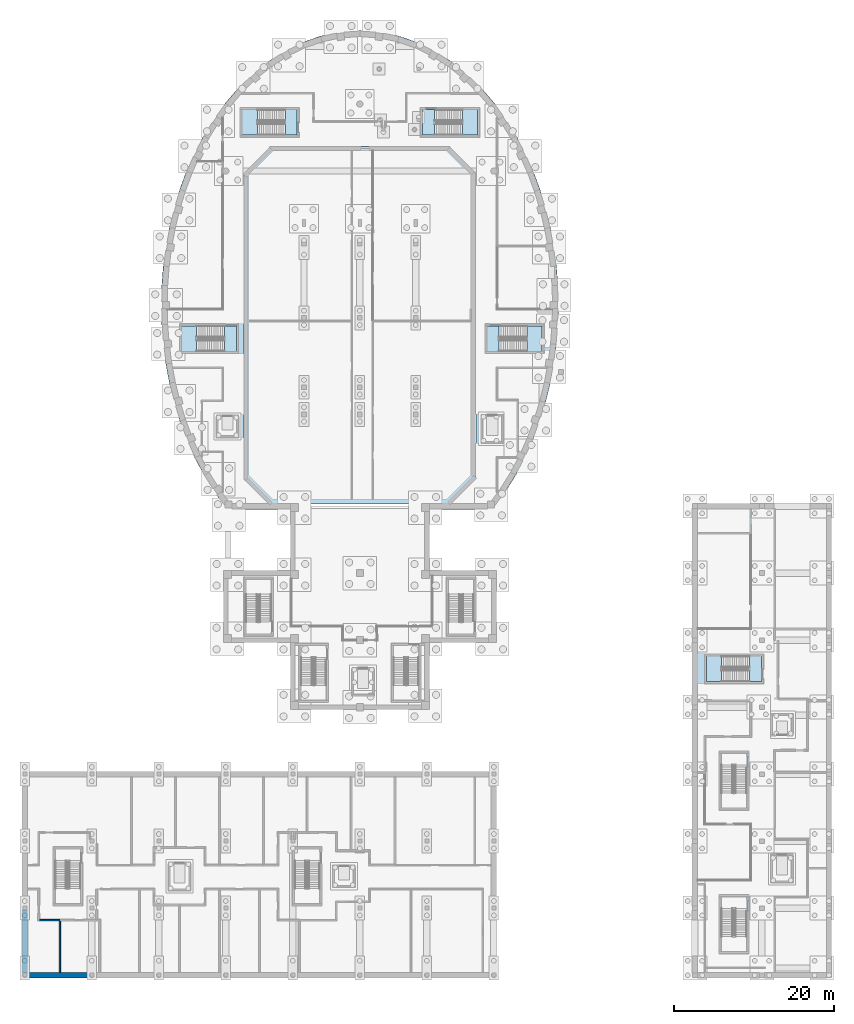
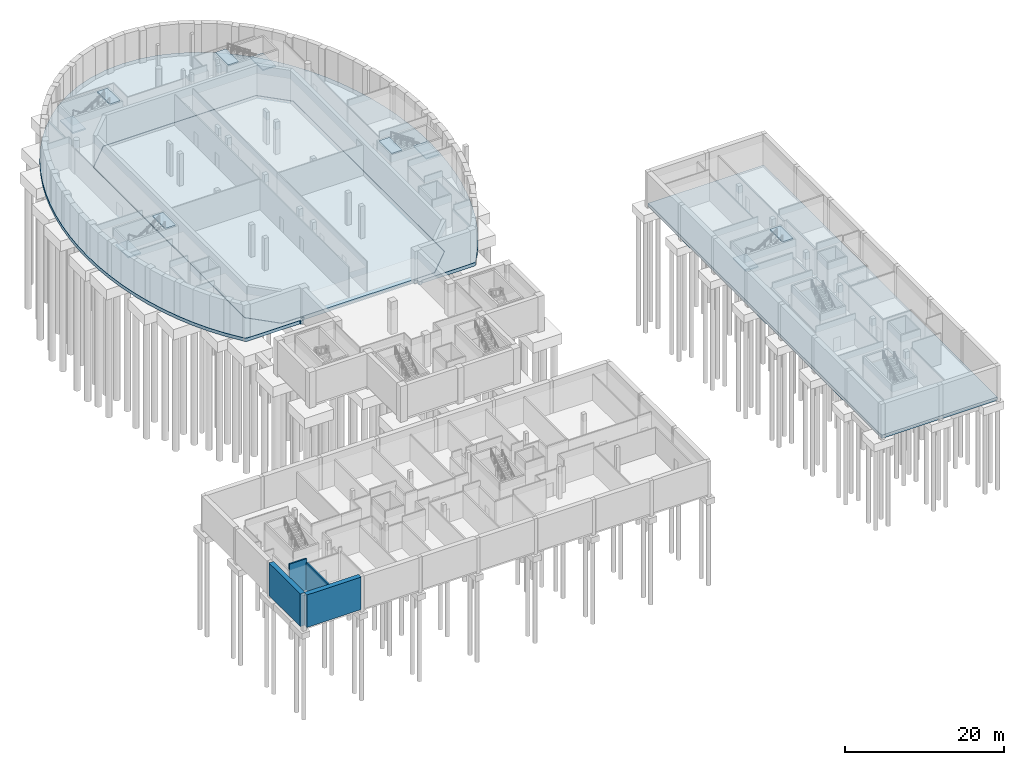
# One storey, part 8 of 33: 13 slabs, 4 walls, 5 elements without a shape of their own.
"""IFC4 building model written with IfcOpenShell, lengths in metres."""

from ifc_helpers import new_model, si_unit, direction, frame, frame_2d, origin, place, context, subcontext, project, spatial, polyline, rectangle, outline, extrude, material, layer, layer_set, type_object, element, aggregate, save


model = new_model("IFC4")

# Units and contexts
model_context = context("Model", 3, precision=1e-05, world=origin(), true_north=direction((0.0, 1.0)))
body_context = subcontext(model_context, "Body", "Model", "MODEL_VIEW")
ifc_project = project(units=[si_unit("LENGTHUNIT", "METRE"), si_unit("AREAUNIT", "SQUARE_METRE"), si_unit("VOLUMEUNIT", "CUBIC_METRE"), si_unit("PLANEANGLEUNIT", "RADIAN"), si_unit("MASSUNIT", "GRAM", prefix="KILO")], contexts=[model_context])

# Site, building, storey
site_placement = place(None, origin())
site = spatial("IfcSite", under=ifc_project, at=site_placement, CompositionType="ELEMENT")
building_placement = place(site_placement, origin())
building = spatial("IfcBuilding", under=site, at=building_placement, Name="Larchfold Concert Hall", CompositionType="ELEMENT")
storey_placement = place(building_placement, frame((0.0, 0.0, -5.0)))
storey = spatial("IfcBuildingStorey", under=building, at=storey_placement, Name="B1", CompositionType="ELEMENT", Elevation=-5.0)

# Slabs
ifc_material_1 = material(Name="Concrete C35/45", Category="concrete")
ifc_layer_1 = layer(ifc_material_1, 0.5)
ifc_layer_set_1 = layer_set([ifc_layer_1], Name="Concrete C35/45")
slab_type_1 = type_object("IfcSlabType", Name="Raft 500", PredefinedType="BASESLAB", material=ifc_layer_set_1)
slab_1_placement = place(storey_placement, frame((0.0, 0.0, -0.5)))
element("IfcSlab", 1, at=slab_1_placement, inside=storey, type_object=slab_type_1, Name="Slab S0002", PredefinedType="BASESLAB", context=body_context, shape_type="SweptSolid", body=[
    extrude(outline(polyline([(101.39990234375, 0.60009765625), (101.39990234375, 59.39990234375), (84.60009765625, 59.39990234375), (84.60009765625, 0.60009765625), (101.39990234375, 0.60009765625)])), origin(), (0.0, 0.0, 1.0), 0.5),
])
slab_2_placement = place(storey_placement, frame((0.0, 0.0, -0.5)))
element("IfcSlab", 2, at=slab_2_placement, inside=storey, type_object=slab_type_1, Name="Slab S0004", PredefinedType="BASESLAB", context=body_context, shape_type="SweptSolid", body=[
    extrude(outline(polyline([(53.892333984375, 59.800048828125), (53.742431640625, 59.64990234375), (53.699951171875, 59.619873046875), (50.671142578125, 59.619873046875), (50.6396484375, 59.565673828125), (50.6123046875, 59.489990234375), (50.6005859375, 59.410400390625), (51.0, 59.39990234375), (51.0, 58.849853515625), (51.39990234375, 58.849853515625), (51.39990234375, 59.0), (59.046875, 59.0), (59.103271484375, 59.00390625), (59.17626953125, 59.021240234375), (59.24462890625, 59.052001953125), (59.30615234375, 59.094970703125), (59.3583984375, 59.148681640625), (60.816162109375, 61.138916015625), (62.12548828125, 63.244384765625), (63.281982421875, 65.43505859375), (64.28955078125, 67.696044921875), (65.1533203125, 70.014404296875), (65.87744140625, 72.378662109375), (66.46484375, 74.779541015625), (66.9189453125, 77.208740234375), (67.241943359375, 79.657958984375), (67.435302734375, 82.12060546875), (67.5, 84.589599609375), (67.437255859375, 87.04345703125), (67.24755859375, 89.49072265625), (66.9296875, 91.9248046875), (66.482421875, 94.3388671875), (65.903564453125, 96.7255859375), (65.1904296875, 99.076416015625), (64.33935546875, 101.381591796875), (63.3466796875, 103.630615234375), (62.2080078125, 105.811279296875), (60.9189453125, 107.908203125), (59.474365234375, 109.904052734375), (57.871337890625, 111.77783203125), (56.107421875, 113.5048828125), (54.18310546875, 115.05615234375), (52.104248046875, 116.398681640625), (49.8828125, 117.49755859375), (47.5400390625, 118.316650390625), (47.489013671875, 118.330810546875), (45.108154296875, 118.824462890625), (45.0537109375, 118.83203125), (42.6279296875, 118.9990234375), (42.572265625, 118.9990234375), (40.146484375, 118.83203125), (40.092041015625, 118.824462890625), (37.711181640625, 118.330810546875), (37.66015625, 118.316650390625), (35.36328125, 117.516845703125), (33.13623046875, 116.421630859375), (31.051513671875, 115.0810546875), (29.121826171875, 113.53076171875), (27.353271484375, 111.803955078125), (25.74609375, 109.929931640625), (24.29833984375, 107.93359375), (23.006103515625, 105.8359375), (21.864990234375, 103.654541015625), (20.870361328125, 101.405029296875), (20.017333984375, 99.098876953125), (19.302490234375, 96.747802734375), (18.722412109375, 94.360595703125), (18.27392578125, 91.946044921875), (17.955078125, 89.51171875), (17.76416015625, 87.064453125), (17.7001953125, 84.610595703125), (17.763671875, 82.1416015625), (17.9560546875, 79.67919921875), (18.27783203125, 77.230224609375), (18.73046875, 74.801513671875), (19.316650390625, 72.401123046875), (20.0390625, 70.037109375), (20.90087890625, 67.719482421875), (21.906494140625, 65.459228515625), (23.060302734375, 63.26904296875), (24.36669921875, 61.16455078125), (25.830322265625, 59.163818359375), (25.86669921875, 59.12060546875), (25.923828125, 59.072021484375), (25.989013671875, 59.03515625), (26.06005859375, 59.010986328125), (26.13427734375, 59.000244140625), (33.800048828125, 59.0), (33.800048828125, 58.849853515625), (34.199951171875, 58.849853515625), (34.199951171875, 59.39990234375), (34.599609375, 59.39990234375), (34.595458984375, 59.450439453125), (34.576171875, 59.527587890625), (34.541748046875, 59.600341796875), (31.5, 59.619873046875), (31.3076171875, 59.7998046875), (28.078857421875, 63.02880859375), (28.070068359375, 101.10009765625), (31.478759765625, 104.521240234375), (53.699951171875, 104.530029296875), (57.121337890625, 101.121337890625), (57.130126953125, 63.050048828125), (53.892333984375, 59.800048828125)])), origin(), (0.0, 0.0, 1.0), 0.5),
])
ifc_material_2 = material(Name="Concrete C35/45", Category="concrete")
ifc_layer_2 = layer(ifc_material_2, 0.60009765625)
ifc_layer_set_2 = layer_set([ifc_layer_2], Name="Concrete C35/45")
slab_type_2 = type_object("IfcSlabType", Name="Raft 600", PredefinedType="BASESLAB", material=ifc_layer_set_2)
slab_3_placement = place(storey_placement, frame((0.0, 0.0, -0.60009765625)))
element("IfcSlab", 3, at=slab_3_placement, inside=storey, type_object=slab_type_2, Name="Slab S0005", PredefinedType="BASESLAB", context=body_context, shape_type="SweptSolid", body=[
    extrude(outline(polyline([(31.5, 59.64990234375), (53.699951171875, 59.64990234375), (57.10009765625, 63.050048828125), (57.10009765625, 101.10009765625), (53.699951171875, 104.5), (31.5, 104.5), (28.10009765625, 101.10009765625), (28.10009765625, 63.050048828125), (31.5, 59.64990234375)])), origin(), (0.0, 0.0, 1.0), 0.60009765625),
])

# Stair, slabs
ifc_material_3 = material(Name="Concrete C35/45", Category="concrete")
stair_type = type_object("IfcStairType", Name="Stair RC half-turn enclosed", PredefinedType="HALF_TURN_STAIR", material=ifc_material_3)
stair_1_placement = place(storey_placement, origin())
stair_1 = element("IfcStair", 4, at=stair_1_placement, inside=storey, type_object=stair_type, Name="Stair DS2", PredefinedType="HALF_TURN_STAIR")
ifc_material_4 = material(Name="Concrete C35/45", Category="concrete")
ifc_layer_3 = layer(ifc_material_4, 0.199951171875)
ifc_layer_set_3 = layer_set([ifc_layer_3], Name="Concrete C35/45")
slab_type_3 = type_object("IfcSlabType", Name="Stair landing RC 200", PredefinedType="LANDING", material=ifc_layer_set_3)
slab_4_placement = place(storey_placement, frame((0.0, 0.0, 2.300048828125)))
slab_4 = element("IfcSlab", 5, at=slab_4_placement, type_object=slab_type_3, Name="ST02 landing 1", PredefinedType="LANDING", context=body_context, shape_type="SweptSolid", body=[
    extrude(outline(polyline([(55.4599609375, 105.89990234375), (57.35009765625, 105.89990234375), (57.35009765625, 109.099853515625), (55.4599609375, 109.099853515625), (55.4599609375, 105.89990234375)])), origin(), (0.0, 0.0, 1.0), 0.199951171875),
])
slab_5_placement = place(storey_placement, frame((0.0, 0.0, 4.800048828125)))
slab_5 = element("IfcSlab", 6, at=slab_5_placement, type_object=slab_type_3, Name="ST02 landing 2", PredefinedType="LANDING", context=body_context, shape_type="SweptSolid", body=[
    extrude(outline(polyline([(50.449951171875, 105.89990234375), (51.949951171875, 105.89990234375), (51.949951171875, 109.10009765625), (50.449951171875, 109.10009765625), (50.449951171875, 105.89990234375)])), origin(), (0.0, 0.0, 1.0), 0.199951171875),
])
aggregate(stair_1, [slab_4, slab_5])

stair_2_placement = place(storey_placement, origin())
stair_2 = element("IfcStair", 7, at=stair_2_placement, inside=storey, type_object=stair_type, Name="Stair DS3", PredefinedType="HALF_TURN_STAIR")
slab_6_placement = place(storey_placement, frame((0.0, 0.0, 2.300048828125)))
slab_6 = element("IfcSlab", 8, at=slab_6_placement, type_object=slab_type_3, Name="ST03 landing 1", PredefinedType="LANDING", context=body_context, shape_type="SweptSolid", body=[
    extrude(outline(polyline([(29.739990234375, 109.10009765625), (27.85009765625, 109.10009765625), (27.85009765625, 105.900146484375), (29.739990234375, 105.900146484375), (29.739990234375, 109.10009765625)])), origin(), (0.0, 0.0, 1.0), 0.199951171875),
])
slab_7_placement = place(storey_placement, frame((0.0, 0.0, 4.800048828125)))
slab_7 = element("IfcSlab", 9, at=slab_7_placement, type_object=slab_type_3, Name="ST03 landing 2", PredefinedType="LANDING", context=body_context, shape_type="SweptSolid", body=[
    extrude(outline(polyline([(34.75, 109.10009765625), (33.25, 109.10009765625), (33.25, 105.89990234375), (34.75, 105.89990234375), (34.75, 109.10009765625)])), origin(), (0.0, 0.0, 1.0), 0.199951171875),
])
aggregate(stair_2, [slab_6, slab_7])

stair_3_placement = place(storey_placement, origin())
stair_3 = element("IfcStair", 10, at=stair_3_placement, inside=storey, type_object=stair_type, Name="Stair DS7", PredefinedType="HALF_TURN_STAIR")
slab_8_placement = place(storey_placement, frame((0.0, 0.0, 2.300048828125)))
slab_8 = element("IfcSlab", 11, at=slab_8_placement, type_object=slab_type_3, Name="ST07 landing 1", PredefinedType="LANDING", context=body_context, shape_type="SweptSolid", body=[
    extrude(outline(polyline([(22.139892578125, 82.0), (20.25, 82.0), (20.25, 78.800048828125), (22.139892578125, 78.800048828125), (22.139892578125, 82.0)])), origin(), (0.0, 0.0, 1.0), 0.199951171875),
])
slab_9_placement = place(storey_placement, frame((0.0, 0.0, 4.800048828125)))
slab_9 = element("IfcSlab", 12, at=slab_9_placement, type_object=slab_type_3, Name="ST07 landing 2", PredefinedType="LANDING", context=body_context, shape_type="SweptSolid", body=[
    extrude(outline(polyline([(27.14990234375, 82.0), (25.64990234375, 82.0), (25.64990234375, 78.800048828125), (27.14990234375, 78.800048828125), (27.14990234375, 82.0)])), origin(), (0.0, 0.0, 1.0), 0.199951171875),
])
aggregate(stair_3, [slab_8, slab_9])

stair_4_placement = place(storey_placement, origin())
stair_4 = element("IfcStair", 13, at=stair_4_placement, inside=storey, type_object=stair_type, Name="Stair DS8", PredefinedType="HALF_TURN_STAIR")
slab_10_placement = place(storey_placement, frame((0.0, 0.0, 2.300048828125)))
slab_10 = element("IfcSlab", 14, at=slab_10_placement, type_object=slab_type_3, Name="ST08 landing 1", PredefinedType="LANDING", context=body_context, shape_type="SweptSolid", body=[
    extrude(outline(polyline([(63.56005859375, 78.800048828125), (65.449951171875, 78.800048828125), (65.449951171875, 82.0), (63.56005859375, 82.0), (63.56005859375, 78.800048828125)])), origin(), (0.0, 0.0, 1.0), 0.199951171875),
])
slab_11_placement = place(storey_placement, frame((0.0, 0.0, 4.800048828125)))
slab_11 = element("IfcSlab", 15, at=slab_11_placement, type_object=slab_type_3, Name="ST08 landing 2", PredefinedType="LANDING", context=body_context, shape_type="SweptSolid", body=[
    extrude(outline(polyline([(58.550048828125, 78.800048828125), (60.050048828125, 78.800048828125), (60.050048828125, 82.0), (58.550048828125, 82.0), (58.550048828125, 78.800048828125)])), origin(), (0.0, 0.0, 1.0), 0.199951171875),
])
aggregate(stair_4, [slab_10, slab_11])

stair_5_placement = place(storey_placement, origin())
stair_5 = element("IfcStair", 16, at=stair_5_placement, inside=storey, type_object=stair_type, Name="Stair AW3", PredefinedType="HALF_TURN_STAIR")
slab_12_placement = place(storey_placement, frame((0.0, 0.0, 2.300048828125)))
slab_12 = element("IfcSlab", 17, at=slab_12_placement, type_object=slab_type_3, Name="ST15 landing 1", PredefinedType="LANDING", context=body_context, shape_type="SweptSolid", body=[
    extrude(outline(polyline([(87.93994140625, 40.60009765625), (86.050048828125, 40.60009765625), (86.050048828125, 37.400146484375), (87.93994140625, 37.400146484375), (87.93994140625, 40.60009765625)])), origin(), (0.0, 0.0, 1.0), 0.199951171875),
])
slab_13_placement = place(storey_placement, frame((0.0, 0.0, 4.800048828125)))
slab_13 = element("IfcSlab", 18, at=slab_13_placement, type_object=slab_type_3, Name="ST15 landing 2", PredefinedType="LANDING", context=body_context, shape_type="SweptSolid", body=[
    extrude(outline(polyline([(92.949951171875, 40.60009765625), (91.449951171875, 40.60009765625), (91.449951171875, 37.39990234375), (92.949951171875, 37.39990234375), (92.949951171875, 40.60009765625)])), origin(), (0.0, 0.0, 1.0), 0.199951171875),
])
aggregate(stair_5, [slab_12, slab_13])

# Walls
ifc_material_5 = material(Name="Plasterboard partition on steel studs", Category="steel")
ifc_layer_4 = layer(ifc_material_5, 0.199951171875)
ifc_layer_set_4 = layer_set([ifc_layer_4], Name="Plasterboard partition on steel studs")
wall_type_1 = type_object("IfcWallType", Name="Acoustic partition 200", PredefinedType="PARTITIONING", material=ifc_layer_set_4)
wall_1_placement = place(storey_placement, frame((5.0, 7.39990234375, 0.0), z_axis=(0.0, 0.0, 1.0), x_axis=(0.0, -1.0, 0.0)))
element("IfcWall", 19, at=wall_1_placement, inside=storey, type_object=wall_type_1, Name="Partition IW0079", PredefinedType="PARTITIONING", context=body_context, shape_type="SweptSolid", body=[
    extrude(rectangle(XDim=6.449951171875, YDim=0.199951171875, at=frame_2d((3.22509765625, 0.0))), origin(), (0.0, 0.0, 1.0), 4.239990234375),
])
wall_2_placement = place(storey_placement, frame((2.449951171875, 7.5, 0.0), z_axis=(0.0, 0.0, 1.0), x_axis=(1.0, 0.0, 0.0)))
element("IfcWall", 20, at=wall_2_placement, inside=storey, type_object=wall_type_1, Name="Partition IW0082", PredefinedType="PARTITIONING", context=body_context, shape_type="SweptSolid", body=[
    extrude(rectangle(XDim=2.550048828125, YDim=0.199951171875, at=frame_2d((1.27490234375, 0.0))), origin(), (0.0, 0.0, 1.0), 4.840087890625),
])
ifc_material_6 = material(Name="Concrete C30/37", Category="concrete")
ifc_layer_5 = layer(ifc_material_6, 0.699951171875)
ifc_layer_set_5 = layer_set([ifc_layer_5], Name="Concrete C30/37")
wall_type_2 = type_object("IfcWallType", Name="Wall RC 700 retaining wall", PredefinedType="SOLIDWALL", material=ifc_layer_set_5)
for number, where, z_axis, x_axis, name in (
    (21, (0.60009765625, 0.85009765625, 0.0), (0.0, 0.0, 1.0), (0.0, 1.0, 0.0), "Wall W0089"),
    (22, (8.75, 0.60009765625, 0.0), (0.0, 0.0, 1.0), (-1.0, 0.0, 0.0), "Wall W0108"),
):
    element("IfcWall", number, at=place(storey_placement, frame(where, z_axis=z_axis, x_axis=x_axis)), inside=storey, type_object=wall_type_2, Name=name, PredefinedType="SOLIDWALL", context=body_context, shape_type="SweptSolid", body=[
        extrude(rectangle(XDim=7.89990234375, YDim=0.699951171875, at=frame_2d((3.949951171875, 0.0))), origin(), (0.0, 0.0, 1.0), 5.0),
    ])

save(model, "model.ifc")
